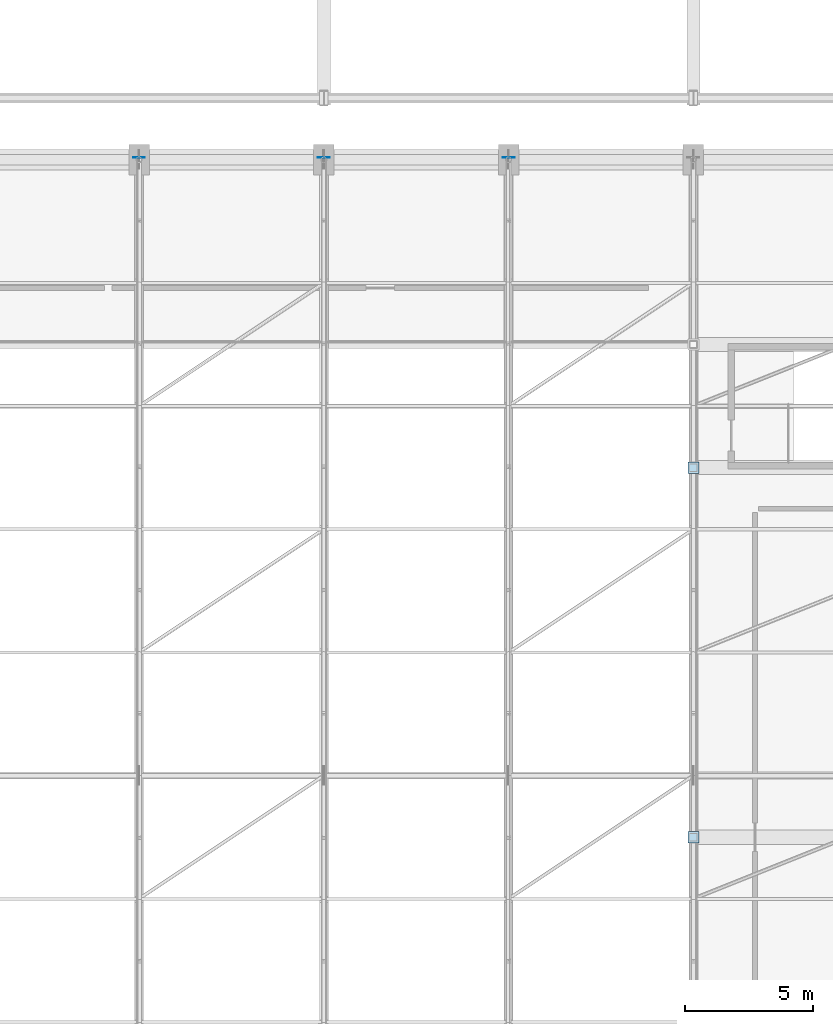
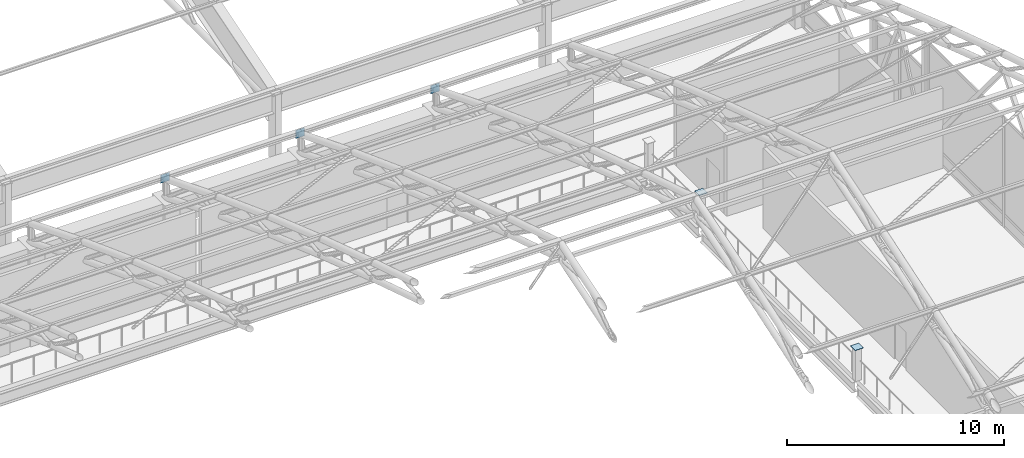
# One storey, part 80 of 116: 5 plates.
"""IFC4 building model written with IfcOpenShell, lengths in metres."""

from ifc_helpers import new_model, si_unit, direction, frame, origin, origin_2d, place, context, subcontext, project, spatial, rectangle, extrude, material, layer, layer_set, type_object, element, save


model = new_model("IFC4")

# Units and contexts
model_context = context("Model", 3, precision=1e-05, world=origin(), true_north=direction((0.0, 1.0)))
body_context = subcontext(model_context, "Body", "Model", "MODEL_VIEW")
ifc_project = project(units=[si_unit("LENGTHUNIT", "METRE"), si_unit("AREAUNIT", "SQUARE_METRE"), si_unit("VOLUMEUNIT", "CUBIC_METRE"), si_unit("PLANEANGLEUNIT", "RADIAN"), si_unit("MASSUNIT", "GRAM", prefix="KILO")], contexts=[model_context])

# Site, building, storey
site_placement = place(None, origin())
site = spatial("IfcSite", under=ifc_project, at=site_placement, CompositionType="ELEMENT")
building_placement = place(site_placement, origin())
building = spatial("IfcBuilding", under=site, at=building_placement, Name="Cendralis Lancet Convention Centre", CompositionType="ELEMENT")
storey_placement = place(building_placement, frame((0.0, 0.0, 15.0)))
storey = spatial("IfcBuildingStorey", under=building, at=storey_placement, Name="L03", CompositionType="ELEMENT", Elevation=15.0)

# Plates
ifc_material = material(Name="Steel S355", Category="steel")
ifc_layer_1 = layer(ifc_material, 0.02001953125, Name="Steel S355")
ifc_layer_set_1 = layer_set([ifc_layer_1], Name="Steel S355")
plate_type_1 = type_object("IfcPlateType", Name="STR-PL-CC20-INT", PredefinedType="USERDEFINED", material=ifc_layer_set_1)
for number, where, z_axis, x_axis, name in (
    (1, (196.800048828125, 64.800048828125, 1.800048828125), (0.0, 0.0, 1.0), (1.0, 0.0, 0.0), "Hollow Column Top Cap Plate L03 #020"),
    (2, (196.800048828125, 79.199951171875, 1.800048828125), (0.0, 0.0, 1.0), (1.0, 0.0, 0.0), "Hollow Column Top Cap Plate L03 #021"),
):
    element("IfcPlate", number, at=place(storey_placement, frame(where, z_axis=z_axis, x_axis=x_axis)), inside=storey, type_object=plate_type_1, Name=name, ObjectType="GUSSET PLATE", PredefinedType="USERDEFINED", context=body_context, shape_type="SweptSolid", body=[
        extrude(rectangle(XDim=0.43994140625, YDim=0.43994140625, at=origin_2d()), origin(), (0.0, 0.0, 1.0), 0.02001953125),
    ])
ifc_layer_2 = layer(ifc_material, 0.02001953125, Name="Steel S355")
ifc_layer_set_2 = layer_set([ifc_layer_2], Name="Steel S355")
plate_type_2 = type_object("IfcPlateType", Name="STR-PL-EC20", PredefinedType="USERDEFINED", material=ifc_layer_set_2)
for number, where, z_axis, x_axis, name in (
    (3, (175.199951171875, 91.2900390625, 2.6201171875), (0.0, 0.0, 1.0), (1.0, 0.0, 0.0), "Truss End Cap Plate EC-20 AT-V2-06-CAPN"),
    (4, (182.39990234375, 91.2900390625, 2.6201171875), (0.0, 0.0, 1.0), (1.0, 0.0, 0.0), "Truss End Cap Plate EC-20 AT-V2-07-CAPN"),
    (5, (189.60009765625, 91.2900390625, 2.6201171875), (0.0, 0.0, 1.0), (1.0, 0.0, 0.0), "Truss End Cap Plate EC-20 AT-V2-08-CAPN"),
):
    element("IfcPlate", number, at=place(storey_placement, frame(where, z_axis=z_axis, x_axis=x_axis)), inside=storey, type_object=plate_type_2, Name=name, ObjectType="GUSSET PLATE", PredefinedType="USERDEFINED", context=body_context, shape_type="SweptSolid", body=[
        extrude(rectangle(XDim=0.4599609375, YDim=0.02001953125, at=origin_2d()), origin(), (0.0, 0.0, 1.0), 0.4599609375),
    ])

save(model, "model.ifc")
